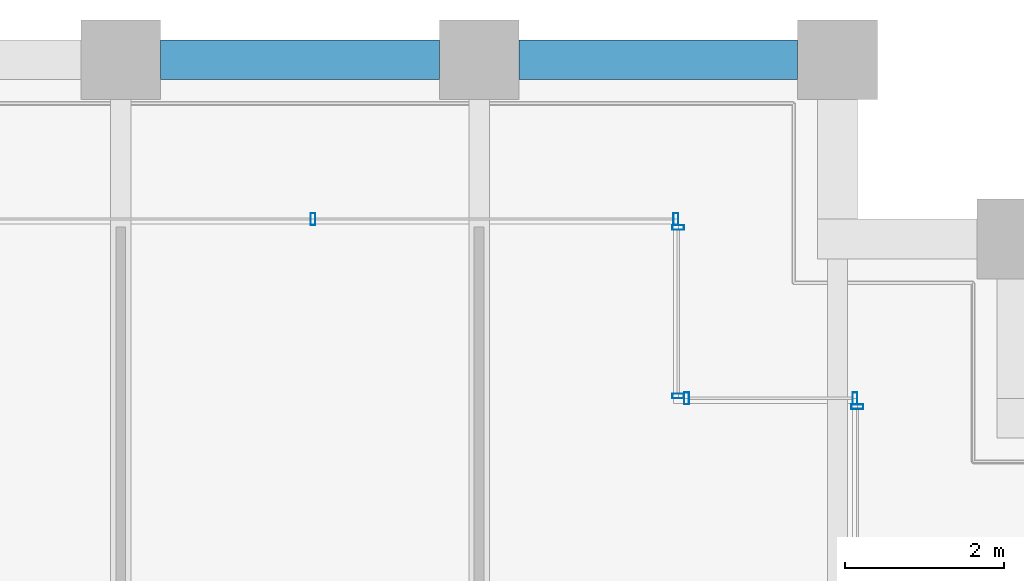
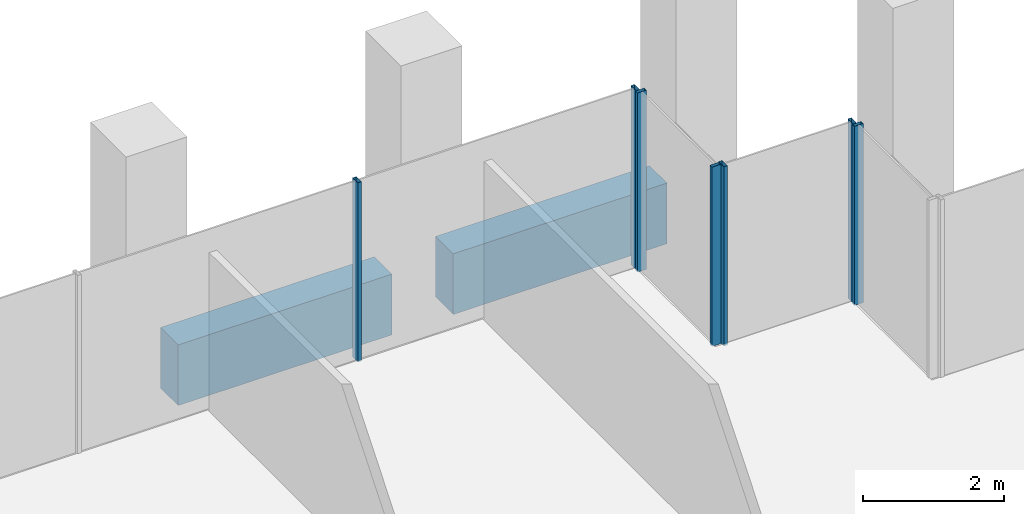
# One storey, part 26 of 46: 7 members, 2 beams, 4 elements without a shape of their own.
"""IFC4 building model written with IfcOpenShell, lengths in metres."""

from ifc_helpers import new_model, si_unit, direction, frame, origin, origin_2d, place, context, subcontext, project, spatial, rectangle, hollow_rectangle, extrude, material, material_profile, profile_set, type_object, element, aggregate, save


model = new_model("IFC4")

# Units and contexts
model_context = context("Model", 3, precision=1e-05, world=origin(), true_north=direction((0.0, 1.0)))
body_context = subcontext(model_context, "Body", "Model", "MODEL_VIEW")
ifc_project = project(units=[si_unit("LENGTHUNIT", "METRE"), si_unit("AREAUNIT", "SQUARE_METRE"), si_unit("VOLUMEUNIT", "CUBIC_METRE"), si_unit("PLANEANGLEUNIT", "RADIAN"), si_unit("MASSUNIT", "GRAM", prefix="KILO")], contexts=[model_context])

# Site, building, storey
site_placement = place(None, origin())
site = spatial("IfcSite", under=ifc_project, at=site_placement, CompositionType="ELEMENT")
building_placement = place(site_placement, origin())
building = spatial("IfcBuilding", under=site, at=building_placement, Name="Altepetl Exchange Towers", CompositionType="ELEMENT")
storey_placement = place(building_placement, frame((0.0, 0.0, 106.39990234375)))
storey = spatial("IfcBuildingStorey", under=building, at=storey_placement, Name="L26", CompositionType="ELEMENT", Elevation=106.39990234375)

# Curtain wall, member
ifc_material_1 = material(Name="Aluminium 6063-T6 glazing", Category="aluminium")
curtain_wall_type = type_object("IfcCurtainWallType", Name="Loggia glazing system", PredefinedType="NOTDEFINED", material=ifc_material_1)
curtain_wall_1_placement = place(storey_placement, origin())
curtain_wall_1 = element("IfcCurtainWall", 1, at=curtain_wall_1_placement, inside=storey, type_object=curtain_wall_type, Name="CW1 run", PredefinedType="NOTDEFINED")
ifc_material_2 = material(Name="Aluminium 6063-T6", Category="aluminium")
ifc_material_profile_1 = material_profile(ifc_material_2, hollow_rectangle(XDim=0.06005859375, YDim=0.14990234375, WallThickness=0.0029296875, at=origin_2d()), Name="Mullion 60x150 aluminium")
ifc_profile_set_1 = profile_set([ifc_material_profile_1], Name="Aluminium 6063-T6")
member_type = type_object("IfcMemberType", Name="Mullion 60x150 aluminium", PredefinedType="MULLION", material=ifc_profile_set_1)
member_1_placement = place(storey_placement, frame((67.75, 67.64501953125, 0.0), z_axis=(0.0, 0.0, 1.0), x_axis=(0.0, 1.0, 0.0)))
member_1 = element("IfcMember", 2, at=member_1_placement, type_object=member_type, Name="MU1 mullion", PredefinedType="MULLION", context=body_context, shape_type="SweptSolid", body=[
    extrude(hollow_rectangle(XDim=0.06005859375, YDim=0.14990234375, WallThickness=0.0029296875, at=origin_2d()), origin(), (0.0, 0.0, 1.0), 3.10009765625),
])
aggregate(curtain_wall_1, [member_1])

# Curtain wall, members
curtain_wall_2_placement = place(storey_placement, origin())
curtain_wall_2 = element("IfcCurtainWall", 3, at=curtain_wall_2_placement, inside=storey, type_object=curtain_wall_type, Name="CW1 run", PredefinedType="NOTDEFINED")
member_2_placement = place(storey_placement, frame((67.719970703125, 67.75, 0.0), z_axis=(0.0, 0.0, 1.0), x_axis=(-1.0, 0.0, 0.0)))
member_2 = element("IfcMember", 4, at=member_2_placement, type_object=member_type, Name="MU1 mullion", PredefinedType="MULLION", context=body_context, shape_type="SweptSolid", body=[
    extrude(hollow_rectangle(XDim=0.06005859375, YDim=0.14990234375, WallThickness=0.0029296875, at=origin_2d()), origin(), (0.0, 0.0, 1.0), 3.10009765625),
])
member_3_placement = place(storey_placement, frame((65.60498046875, 67.75, 0.0), z_axis=(0.0, 0.0, 1.0), x_axis=(-1.0, 0.0, 0.0)))
member_3 = element("IfcMember", 5, at=member_3_placement, type_object=member_type, Name="MU1 mullion", PredefinedType="MULLION", context=body_context, shape_type="SweptSolid", body=[
    extrude(hollow_rectangle(XDim=0.06005859375, YDim=0.14990234375, WallThickness=0.0029296875, at=origin_2d()), origin(), (0.0, 0.0, 1.0), 3.10009765625),
])
aggregate(curtain_wall_2, [member_2, member_3])

curtain_wall_3_placement = place(storey_placement, origin())
curtain_wall_3 = element("IfcCurtainWall", 6, at=curtain_wall_3_placement, inside=storey, type_object=curtain_wall_type, Name="CW1 run", PredefinedType="NOTDEFINED")
member_4_placement = place(storey_placement, frame((65.5, 67.780029296875, 0.0), z_axis=(0.0, 0.0, 1.0), x_axis=(0.0, 1.0, 0.0)))
member_4 = element("IfcMember", 7, at=member_4_placement, type_object=member_type, Name="MU1 mullion", PredefinedType="MULLION", context=body_context, shape_type="SweptSolid", body=[
    extrude(hollow_rectangle(XDim=0.06005859375, YDim=0.14990234375, WallThickness=0.0029296875, at=origin_2d()), origin(), (0.0, 0.0, 1.0), 3.10009765625),
])
member_5_placement = place(storey_placement, frame((65.5, 69.89501953125, 0.0), z_axis=(0.0, 0.0, 1.0), x_axis=(0.0, 1.0, 0.0)))
member_5 = element("IfcMember", 8, at=member_5_placement, type_object=member_type, Name="MU1 mullion", PredefinedType="MULLION", context=body_context, shape_type="SweptSolid", body=[
    extrude(hollow_rectangle(XDim=0.06005859375, YDim=0.14990234375, WallThickness=0.0029296875, at=origin_2d()), origin(), (0.0, 0.0, 1.0), 3.10009765625),
])
aggregate(curtain_wall_3, [member_4, member_5])

curtain_wall_4_placement = place(storey_placement, origin())
curtain_wall_4 = element("IfcCurtainWall", 9, at=curtain_wall_4_placement, inside=storey, type_object=curtain_wall_type, Name="CW1 run", PredefinedType="NOTDEFINED")
member_6_placement = place(storey_placement, frame((65.469970703125, 70.0, 0.0), z_axis=(0.0, 0.0, 1.0), x_axis=(-1.0, 0.0, 0.0)))
member_6 = element("IfcMember", 10, at=member_6_placement, type_object=member_type, Name="MU1 mullion", PredefinedType="MULLION", context=body_context, shape_type="SweptSolid", body=[
    extrude(hollow_rectangle(XDim=0.06005859375, YDim=0.14990234375, WallThickness=0.0029296875, at=origin_2d()), origin(), (0.0, 0.0, 1.0), 3.10009765625),
])
member_7_placement = place(storey_placement, frame((60.9150390625, 70.0, 0.0), z_axis=(0.0, 0.0, 1.0), x_axis=(-1.0, 0.0, 0.0)))
member_7 = element("IfcMember", 11, at=member_7_placement, type_object=member_type, Name="MU1 mullion", PredefinedType="MULLION", context=body_context, shape_type="SweptSolid", body=[
    extrude(hollow_rectangle(XDim=0.06005859375, YDim=0.14990234375, WallThickness=0.0029296875, at=origin_2d()), origin(), (0.0, 0.0, 1.0), 3.10009765625),
])
aggregate(curtain_wall_4, [member_6, member_7])

# Beams
ifc_material_3 = material(Name="Concrete C50/60 precast with cantera rosa facing", Category="concrete")
ifc_material_profile_2 = material_profile(ifc_material_3, rectangle(XDim=0.5, YDim=1.050048828125, at=origin_2d()), Name="500 x 1050")
ifc_profile_set_2 = profile_set([ifc_material_profile_2], Name="Concrete C50/60 precast with cantera rosa facing")
beam_type = type_object("IfcBeamType", Name="Spandrel beam 500x1050 cantera rosa", PredefinedType="SPANDREL", material=ifc_profile_set_2)
for number, where, z_axis, x_axis, name in (
    (12, (67.0, 72.0, -0.6748046875), (-1.0, 0.0, 0.0), (0.0, -1.0, 0.0), "sp:A:L26:024"),
    (13, (62.5, 72.0, -0.6748046875), (-1.0, 0.0, 0.0), (0.0, -1.0, 0.0), "sp:A:L26:025"),
):
    element("IfcBeam", number, at=place(storey_placement, frame(where, z_axis=z_axis, x_axis=x_axis)), inside=storey, type_object=beam_type, Name=name, PredefinedType="SPANDREL", context=body_context, shape_type="SweptSolid", body=[
        extrude(rectangle(XDim=0.5, YDim=1.050048828125, at=origin_2d()), origin(), (0.0, 0.0, 1.0), 3.5),
    ])

save(model, "model.ifc")
